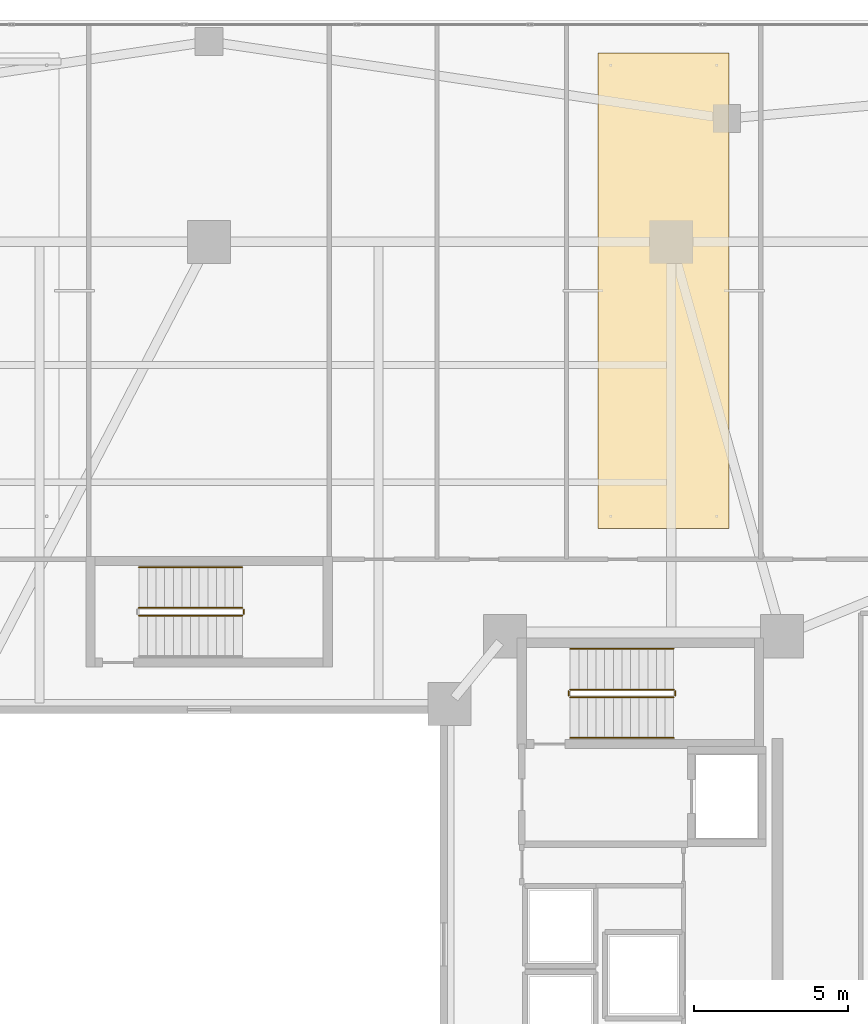
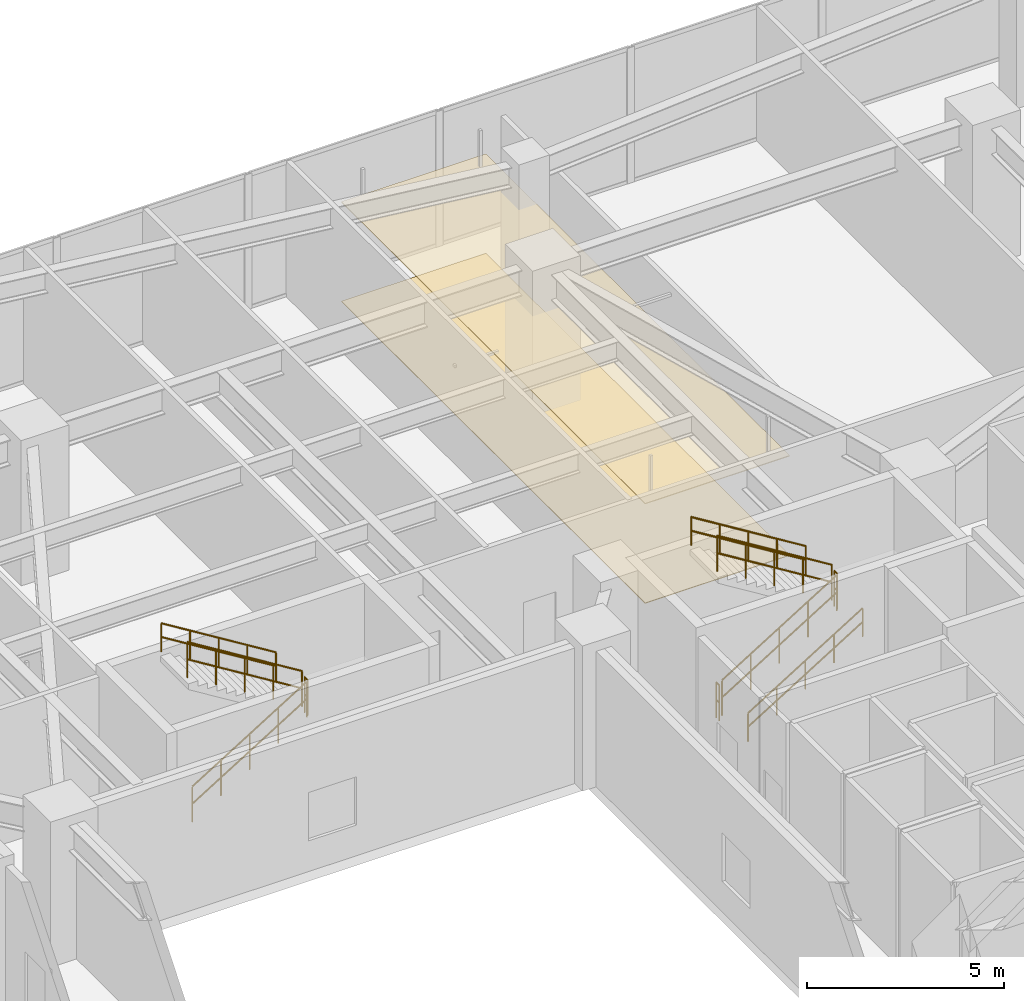
# One storey, part 29 of 29: 10 railings, 2 coverings.
"""IFC4 building model written with IfcOpenShell, lengths in metres."""

from ifc_helpers import new_model, si_unit, direction, frame, origin, origin_2d, place, context, subcontext, project, spatial, polyline, circle, outline, extrude, material, layer, layer_set, type_object, element, save


model = new_model("IFC4")

# Units and contexts
model_context = context("Model", 3, precision=1e-05, world=origin(), true_north=direction((0.0, 1.0)))
body_context = subcontext(model_context, "Body", "Model", "MODEL_VIEW")
ifc_project = project(units=[si_unit("LENGTHUNIT", "METRE"), si_unit("AREAUNIT", "SQUARE_METRE"), si_unit("VOLUMEUNIT", "CUBIC_METRE"), si_unit("PLANEANGLEUNIT", "RADIAN"), si_unit("MASSUNIT", "GRAM", prefix="KILO")], contexts=[model_context])

# Site, building, storey
site_placement = place(None, origin())
site = spatial("IfcSite", under=ifc_project, at=site_placement, CompositionType="ELEMENT")
building_placement = place(site_placement, origin())
building = spatial("IfcBuilding", under=site, at=building_placement, Name="Tarnavaz Court Tower", CompositionType="ELEMENT")
storey_placement = place(building_placement, frame((0.0, 0.0, 5.39990234375)))
storey = spatial("IfcBuildingStorey", under=building, at=storey_placement, Name="L01", CompositionType="ELEMENT", Elevation=5.39990234375)

# Coverings
ifc_material_1 = material(Name="Perforated Gypsum Acoustic Ceiling Tile", Category="masonry")
ifc_layer_1 = layer(ifc_material_1, 0.02490234375)
ifc_layer_set_1 = layer_set([ifc_layer_1], Name="Perforated Gypsum Acoustic Ceiling Tile")
covering_type_1 = type_object("IfcCoveringType", Name="CV-CEIL-AC", PredefinedType="CEILING", material=ifc_layer_set_1)
covering_1_placement = place(storey_placement, frame((0.0, 0.0, 3.080078125)))
element("IfcCovering", 1, at=covering_1_placement, inside=storey, type_object=covering_type_1, Name="L01 L01 Staff Administration Office Suspended Acoustic Ceiling", PredefinedType="CEILING", context=body_context, shape_type="SweptSolid", body=[
    extrude(outline(polyline([(12.6298828125, 13.5), (16.8701171875, 13.5), (16.8701171875, 28.929931640625), (12.6298828125, 28.929931640625), (12.6298828125, 13.5)])), origin(), (0.0, 0.0, 1.0), 0.02490234375),
])
ifc_material_2 = material(Name="Glazed Khorasan Porcelain Floor Tile", Category="masonry")
ifc_layer_2 = layer(ifc_material_2, 0.02001953125)
ifc_layer_set_2 = layer_set([ifc_layer_2], Name="Glazed Khorasan Porcelain Floor Tile")
covering_type_2 = type_object("IfcCoveringType", Name="CV-FLR-PORC", PredefinedType="FLOORING", material=ifc_layer_set_2)
covering_2_placement = place(storey_placement, origin())
element("IfcCovering", 2, at=covering_2_placement, inside=storey, type_object=covering_type_2, Name="L01 L01 Staff Administration Office Porcelain Floor Finish", PredefinedType="FLOORING", context=body_context, shape_type="SweptSolid", body=[
    extrude(outline(polyline([(12.6298828125, 13.5), (16.8701171875, 13.5), (16.8701171875, 28.929931640625), (12.6298828125, 28.929931640625), (12.6298828125, 13.5)])), origin(), (0.0, 0.0, 1.0), 0.02001953125),
])

# Railings
ifc_material_3 = material(Name="Brushed Stainless Steel", Category="steel")
railing_type_1 = type_object("IfcRailingType", Name="RL-HANDRAIL-900", PredefinedType="HANDRAIL", material=ifc_material_3)
railing_1_placement = place(storey_placement, frame((11.719970703125, 6.699951171875, 0.173095703125)))
element("IfcRailing", 3, at=railing_1_placement, inside=storey, type_object=railing_type_1, Name="L01 ST-E1 stair handrail 1", PredefinedType="HANDRAIL", context=body_context, shape_type="SweptSolid", body=[
    extrude(circle(Radius=0.02392578125, at=origin_2d()), frame((0.0, 0.0, 0.8759765625), z_axis=(0.850623216509, 0.0, 0.525775754039), x_axis=(0.0, 1.0, 0.0)), (0.0, 0.0, 1.0), 3.9501953125),
    extrude(circle(Radius=0.02392578125, at=origin_2d()), frame((0.0, 0.0, 0.449951171875), z_axis=(0.850623216509, 0.0, 0.525775754039), x_axis=(0.0, 1.0, 0.0)), (0.0, 0.0, 1.0), 3.9501953125),
    extrude(circle(Radius=0.02099609375, at=origin_2d()), origin(), (0.0, 0.0, 1.0), 0.851806640625),
    extrude(circle(Radius=0.02099609375, at=origin_2d()), frame((0.840087890625, 0.0, 0.519287109375)), (0.0, 0.0, 1.0), 0.851806640625),
    extrude(circle(Radius=0.02099609375, at=origin_2d()), frame((1.68017578125, 0.0, 1.03857421875)), (0.0, 0.0, 1.0), 0.851806640625),
    extrude(circle(Radius=0.02099609375, at=origin_2d()), frame((2.52001953125, 0.0, 1.5576171875)), (0.0, 0.0, 1.0), 0.851806640625),
    extrude(circle(Radius=0.02099609375, at=origin_2d()), frame((3.360107421875, 0.0, 2.076904296875)), (0.0, 0.0, 1.0), 0.851806640625),
])
for number, where, name in (
    (4, (15.080078125, 9.590087890625, 2.423095703125), "L01 ST-E1 stair handrail 2"),
    (5, (1.080078125, 12.239990234375, 2.423095703125), "L01 ST-N1 stair handrail 2"),
):
    element("IfcRailing", number, at=place(storey_placement, frame(where)), inside=storey, type_object=railing_type_1, Name=name, PredefinedType="HANDRAIL", context=body_context, shape_type="SweptSolid", body=[
        extrude(circle(Radius=0.02392578125, at=origin_2d()), frame((0.0, 0.0, 0.8759765625), z_axis=(-0.850623216509, 0.0, 0.525775754039), x_axis=(0.0, -1.0, 0.0)), (0.0, 0.0, 1.0), 3.9501953125),
        extrude(circle(Radius=0.02392578125, at=origin_2d()), frame((0.0, 0.0, 0.449951171875), z_axis=(-0.850623216509, 0.0, 0.525775754039), x_axis=(0.0, -1.0, 0.0)), (0.0, 0.0, 1.0), 3.9501953125),
        extrude(circle(Radius=0.02099609375, at=origin_2d()), origin(), (0.0, 0.0, 1.0), 0.851806640625),
        extrude(circle(Radius=0.02099609375, at=origin_2d()), frame((-0.840087890625, 0.0, 0.519287109375)), (0.0, 0.0, 1.0), 0.851806640625),
        extrude(circle(Radius=0.02099609375, at=origin_2d()), frame((-1.68017578125, 0.0, 1.03857421875)), (0.0, 0.0, 1.0), 0.851806640625),
        extrude(circle(Radius=0.02099609375, at=origin_2d()), frame((-2.52001953125, 0.0, 1.5576171875)), (0.0, 0.0, 1.0), 0.851806640625),
        extrude(circle(Radius=0.02099609375, at=origin_2d()), frame((-3.360107421875, 0.0, 2.076904296875)), (0.0, 0.0, 1.0), 0.851806640625),
    ])
ifc_material_4 = material(Name="Galvanized Painted Tubular Steel", Category="steel")
railing_type_2 = type_object("IfcRailingType", Name="RL-STGUARD-1120", PredefinedType="GUARDRAIL", material=ifc_material_4)
railing_2_placement = place(storey_placement, frame((11.719970703125, 8.02001953125, 0.173095703125)))
element("IfcRailing", 6, at=railing_2_placement, inside=storey, type_object=railing_type_2, Name="L01 ST-E1 stair guard 1", PredefinedType="GUARDRAIL", context=body_context, shape_type="SweptSolid", body=[
    extrude(circle(Radius=0.02392578125, at=origin_2d()), frame((0.0, 0.0, 1.09619140625), z_axis=(0.850623216509, 0.0, 0.525775754039), x_axis=(0.0, 1.0, 0.0)), (0.0, 0.0, 1.0), 3.9501953125),
    extrude(circle(Radius=0.02392578125, at=origin_2d()), frame((0.0, 0.0, 0.56005859375), z_axis=(0.850623216509, 0.0, 0.525775754039), x_axis=(0.0, 1.0, 0.0)), (0.0, 0.0, 1.0), 3.9501953125),
    extrude(circle(Radius=0.02099609375, at=origin_2d()), origin(), (0.0, 0.0, 1.0), 1.072021484375),
    extrude(circle(Radius=0.02099609375, at=origin_2d()), frame((0.840087890625, 0.0, 0.519287109375)), (0.0, 0.0, 1.0), 1.072021484375),
    extrude(circle(Radius=0.02099609375, at=origin_2d()), frame((1.68017578125, 0.0, 1.03857421875)), (0.0, 0.0, 1.0), 1.072021484375),
    extrude(circle(Radius=0.02099609375, at=origin_2d()), frame((2.52001953125, 0.0, 1.5576171875)), (0.0, 0.0, 1.0), 1.072021484375),
    extrude(circle(Radius=0.02099609375, at=origin_2d()), frame((3.360107421875, 0.0, 2.076904296875)), (0.0, 0.0, 1.0), 1.072021484375),
])
railing_3_placement = place(storey_placement, frame((15.1298828125, 8.070068359375, 2.25)))
element("IfcRailing", 7, at=railing_3_placement, inside=storey, type_object=railing_type_2, Name="L01 ST-E1 stair guard 2", PredefinedType="GUARDRAIL", context=body_context, shape_type="SweptSolid", body=[
    extrude(circle(Radius=0.02392578125, at=origin_2d()), frame((0.0, 0.0, 1.09619140625), z_axis=(0.0, 1.0, 0.0), x_axis=(-1.0, 0.0, 0.0)), (0.0, 0.0, 1.0), 0.14990234375),
    extrude(circle(Radius=0.02392578125, at=origin_2d()), frame((0.0, 0.0, 0.56005859375), z_axis=(0.0, 1.0, 0.0), x_axis=(-1.0, 0.0, 0.0)), (0.0, 0.0, 1.0), 0.14990234375),
    extrude(circle(Radius=0.02099609375, at=origin_2d()), origin(), (0.0, 0.0, 1.0), 1.072021484375),
    extrude(circle(Radius=0.02099609375, at=origin_2d()), frame((0.0, 0.14990234375, 0.0)), (0.0, 0.0, 1.0), 1.072021484375),
])
railing_4_placement = place(storey_placement, frame((15.080078125, 8.27001953125, 2.423095703125)))
element("IfcRailing", 8, at=railing_4_placement, inside=storey, type_object=railing_type_2, Name="L01 ST-E1 stair guard 3", PredefinedType="GUARDRAIL", context=body_context, shape_type="SweptSolid", body=[
    extrude(circle(Radius=0.02392578125, at=origin_2d()), frame((0.0, 0.0, 1.09619140625), z_axis=(-0.850623216509, 0.0, 0.525775754039), x_axis=(0.0, -1.0, 0.0)), (0.0, 0.0, 1.0), 3.9501953125),
    extrude(circle(Radius=0.02392578125, at=origin_2d()), frame((0.0, 0.0, 0.56005859375), z_axis=(-0.850623216509, 0.0, 0.525775754039), x_axis=(0.0, -1.0, 0.0)), (0.0, 0.0, 1.0), 3.9501953125),
    extrude(circle(Radius=0.02099609375, at=origin_2d()), origin(), (0.0, 0.0, 1.0), 1.072021484375),
    extrude(circle(Radius=0.02099609375, at=origin_2d()), frame((-0.840087890625, 0.0, 0.519287109375)), (0.0, 0.0, 1.0), 1.072021484375),
    extrude(circle(Radius=0.02099609375, at=origin_2d()), frame((-1.68017578125, 0.0, 1.03857421875)), (0.0, 0.0, 1.0), 1.072021484375),
    extrude(circle(Radius=0.02099609375, at=origin_2d()), frame((-2.52001953125, 0.0, 1.5576171875)), (0.0, 0.0, 1.0), 1.072021484375),
    extrude(circle(Radius=0.02099609375, at=origin_2d()), frame((-3.360107421875, 0.0, 2.076904296875)), (0.0, 0.0, 1.0), 1.072021484375),
])
railing_5_placement = place(storey_placement, frame((11.669921875, 8.070068359375, 0.0)))
element("IfcRailing", 9, at=railing_5_placement, inside=storey, type_object=railing_type_2, Name="L01 ST-E1 stair guard 4", PredefinedType="GUARDRAIL", context=body_context, shape_type="SweptSolid", body=[
    extrude(circle(Radius=0.02392578125, at=origin_2d()), frame((0.0, 0.0, 1.09619140625), z_axis=(0.0, 1.0, 0.0), x_axis=(-1.0, 0.0, 0.0)), (0.0, 0.0, 1.0), 0.14990234375),
    extrude(circle(Radius=0.02392578125, at=origin_2d()), frame((0.0, 0.0, 0.56005859375), z_axis=(0.0, 1.0, 0.0), x_axis=(-1.0, 0.0, 0.0)), (0.0, 0.0, 1.0), 0.14990234375),
    extrude(circle(Radius=0.02099609375, at=origin_2d()), origin(), (0.0, 0.0, 1.0), 1.072021484375),
    extrude(circle(Radius=0.02099609375, at=origin_2d()), frame((0.0, 0.14990234375, 0.0)), (0.0, 0.0, 1.0), 1.072021484375),
])
railing_6_placement = place(storey_placement, frame((-2.280029296875, 10.669921875, 0.173095703125)))
element("IfcRailing", 10, at=railing_6_placement, inside=storey, type_object=railing_type_2, Name="L01 ST-N1 stair guard 1", PredefinedType="GUARDRAIL", context=body_context, shape_type="SweptSolid", body=[
    extrude(circle(Radius=0.02392578125, at=origin_2d()), frame((0.0, 0.0, 1.09619140625), z_axis=(0.850623216509, 0.0, 0.525775754039), x_axis=(0.0, 1.0, 0.0)), (0.0, 0.0, 1.0), 3.9501953125),
    extrude(circle(Radius=0.02392578125, at=origin_2d()), frame((0.0, 0.0, 0.56005859375), z_axis=(0.850623216509, 0.0, 0.525775754039), x_axis=(0.0, 1.0, 0.0)), (0.0, 0.0, 1.0), 3.9501953125),
    extrude(circle(Radius=0.02099609375, at=origin_2d()), origin(), (0.0, 0.0, 1.0), 1.072021484375),
    extrude(circle(Radius=0.02099609375, at=origin_2d()), frame((0.840087890625, 0.0, 0.519287109375)), (0.0, 0.0, 1.0), 1.072021484375),
    extrude(circle(Radius=0.02099609375, at=origin_2d()), frame((1.68017578125, 0.0, 1.03857421875)), (0.0, 0.0, 1.0), 1.072021484375),
    extrude(circle(Radius=0.02099609375, at=origin_2d()), frame((2.52001953125, 0.0, 1.5576171875)), (0.0, 0.0, 1.0), 1.072021484375),
    extrude(circle(Radius=0.02099609375, at=origin_2d()), frame((3.360107421875, 0.0, 2.076904296875)), (0.0, 0.0, 1.0), 1.072021484375),
])
railing_7_placement = place(storey_placement, frame((1.1298828125, 10.719970703125, 2.25)))
element("IfcRailing", 11, at=railing_7_placement, inside=storey, type_object=railing_type_2, Name="L01 ST-N1 stair guard 2", PredefinedType="GUARDRAIL", context=body_context, shape_type="SweptSolid", body=[
    extrude(circle(Radius=0.02392578125, at=origin_2d()), frame((0.0, 0.0, 1.09619140625), z_axis=(0.0, 1.0, 0.0), x_axis=(-1.0, 0.0, 0.0)), (0.0, 0.0, 1.0), 0.150146484375),
    extrude(circle(Radius=0.02392578125, at=origin_2d()), frame((0.0, 0.0, 0.56005859375), z_axis=(0.0, 1.0, 0.0), x_axis=(-1.0, 0.0, 0.0)), (0.0, 0.0, 1.0), 0.150146484375),
    extrude(circle(Radius=0.02099609375, at=origin_2d()), origin(), (0.0, 0.0, 1.0), 1.072021484375),
    extrude(circle(Radius=0.02099609375, at=origin_2d()), frame((0.0, 0.150146484375, 0.0)), (0.0, 0.0, 1.0), 1.072021484375),
])
railing_8_placement = place(storey_placement, frame((1.080078125, 10.919921875, 2.423095703125)))
element("IfcRailing", 12, at=railing_8_placement, inside=storey, type_object=railing_type_2, Name="L01 ST-N1 stair guard 3", PredefinedType="GUARDRAIL", context=body_context, shape_type="SweptSolid", body=[
    extrude(circle(Radius=0.02392578125, at=origin_2d()), frame((0.0, 0.0, 1.09619140625), z_axis=(-0.850623216509, 0.0, 0.525775754039), x_axis=(0.0, -1.0, 0.0)), (0.0, 0.0, 1.0), 3.9501953125),
    extrude(circle(Radius=0.02392578125, at=origin_2d()), frame((0.0, 0.0, 0.56005859375), z_axis=(-0.850623216509, 0.0, 0.525775754039), x_axis=(0.0, -1.0, 0.0)), (0.0, 0.0, 1.0), 3.9501953125),
    extrude(circle(Radius=0.02099609375, at=origin_2d()), origin(), (0.0, 0.0, 1.0), 1.072021484375),
    extrude(circle(Radius=0.02099609375, at=origin_2d()), frame((-0.840087890625, 0.0, 0.519287109375)), (0.0, 0.0, 1.0), 1.072021484375),
    extrude(circle(Radius=0.02099609375, at=origin_2d()), frame((-1.68017578125, 0.0, 1.03857421875)), (0.0, 0.0, 1.0), 1.072021484375),
    extrude(circle(Radius=0.02099609375, at=origin_2d()), frame((-2.52001953125, 0.0, 1.5576171875)), (0.0, 0.0, 1.0), 1.072021484375),
    extrude(circle(Radius=0.02099609375, at=origin_2d()), frame((-3.360107421875, 0.0, 2.076904296875)), (0.0, 0.0, 1.0), 1.072021484375),
])

save(model, "model.ifc")
